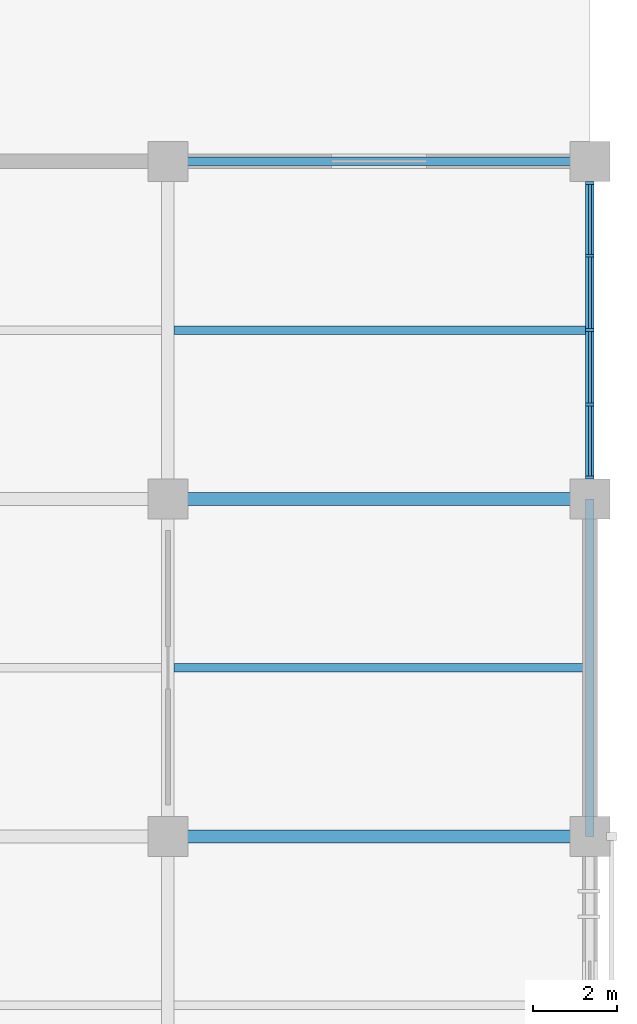
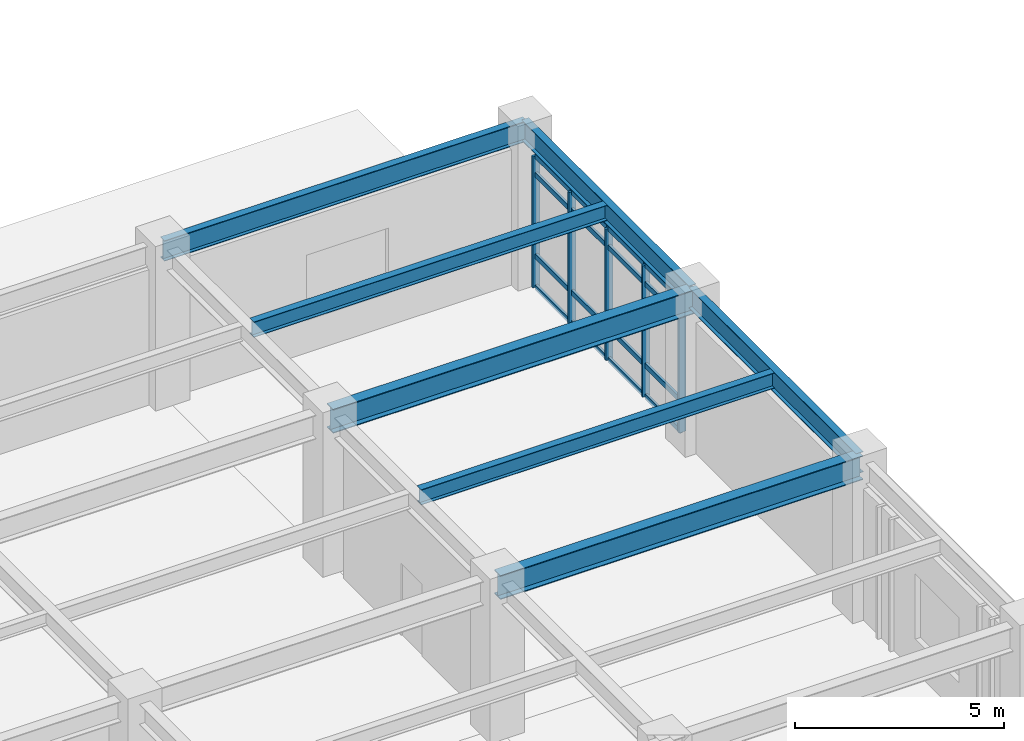
# One storey, part 52 of 109: 21 members, 7 beams, 1 element without a shape of its own.
"""IFC4 building model written with IfcOpenShell, lengths in metres."""

from ifc_helpers import new_model, si_unit, direction, frame, origin, origin_2d, place, context, subcontext, project, spatial, rectangle, i_section, extrude, material, layer, layer_set, material_profile, profile_set, type_object, element, aggregate, save


model = new_model("IFC4")

# Units and contexts
model_context = context("Model", 3, precision=1e-05, world=origin(), true_north=direction((0.0, 1.0)))
body_context = subcontext(model_context, "Body", "Model", "MODEL_VIEW")
ifc_project = project(units=[si_unit("LENGTHUNIT", "METRE"), si_unit("AREAUNIT", "SQUARE_METRE"), si_unit("VOLUMEUNIT", "CUBIC_METRE"), si_unit("PLANEANGLEUNIT", "RADIAN"), si_unit("MASSUNIT", "GRAM", prefix="KILO")], contexts=[model_context])

# Site, building, storey
site_placement = place(None, origin())
site = spatial("IfcSite", under=ifc_project, at=site_placement, CompositionType="ELEMENT")
building_placement = place(site_placement, origin())
building = spatial("IfcBuilding", under=site, at=building_placement, Name="Haebicheon Civic Stadium", CompositionType="ELEMENT")
storey_placement = place(building_placement, frame((0.0, 0.0, 9.60009765625)))
storey = spatial("IfcBuildingStorey", under=building, at=storey_placement, Name="L03", CompositionType="ELEMENT", Elevation=9.60009765625)

# Beams
ifc_material_1 = material(Name="Steel SM490", Category="steel")
ifc_material_profile_1 = material_profile(ifc_material_1, i_section(OverallWidth=0.300048828125, OverallDepth=0.699951171875, WebThickness=0.012939453125, FlangeThickness=0.02392578125, at=origin_2d()), Name="H-700x300x13x24")
ifc_profile_set_1 = profile_set([ifc_material_profile_1], Name="Steel SM490")
beam_type_1 = type_object("IfcBeamType", Name="BM-ST-H700", PredefinedType="BEAM", material=ifc_profile_set_1)
for number, where, z_axis, x_axis, name in (
    (1, (226.0, 128.0, 4.18994140625), (1.0, 0.0, 0.0), (0.0, 1.0, 0.0), "L03 beam S/29-30"),
    (2, (226.0, 136.0, 4.18994140625), (1.0, 0.0, 0.0), (0.0, 1.0, 0.0), "L03 beam T/29-30"),
):
    element("IfcBeam", number, at=place(storey_placement, frame(where, z_axis=z_axis, x_axis=x_axis)), inside=storey, type_object=beam_type_1, material=ifc_profile_set_1, Name=name, PredefinedType="BEAM", context=body_context, shape_type="SweptSolid", body=[
        extrude(i_section(OverallWidth=0.300048828125, OverallDepth=0.699951171875, WebThickness=0.012939453125, FlangeThickness=0.02392578125, at=origin_2d()), origin(), (0.0, 0.0, 1.0), 10.0),
    ])

# Curtain wall, members
ifc_material_2 = material(Name="Anodised aluminium and laminated glass", Category="aluminium")
ifc_layer = layer(ifc_material_2, 0.179931640625, Name="Anodised aluminium and laminated glass")
ifc_layer_set = layer_set([ifc_layer], Name="Anodised aluminium and laminated glass")
curtain_wall_type = type_object("IfcCurtainWallType", Name="CW-7050x3830", PredefinedType="NOTDEFINED", material=ifc_layer_set)
curtain_wall_placement = place(storey_placement, origin())
curtain_wall = element("IfcCurtainWall", 3, at=curtain_wall_placement, inside=storey, type_object=curtain_wall_type, material=ifc_layer_set, Name="L03 unitised curtain wall 104", PredefinedType="NOTDEFINED")
ifc_material_3 = material(Name="Anodised aluminium 6063-T6", Category="aluminium")
ifc_material_profile_2 = material_profile(ifc_material_3, rectangle(XDim=0.070068359375, YDim=0.199951171875, at=origin_2d()), Name="ALU-MULL-70x200")
ifc_profile_set_2 = profile_set([ifc_material_profile_2], Name="Anodised aluminium 6063-T6")
member_type_1 = type_object("IfcMemberType", Name="CWM-200x70", PredefinedType="MULLION", material=ifc_profile_set_2)
member_1_placement = place(storey_placement, frame((236.0, 136.510009765625, 0.0), z_axis=(0.0, 0.0, 1.0), x_axis=(0.0, 1.0, 0.0)))
member_1 = element("IfcMember", 4, at=member_1_placement, type_object=member_type_1, material=ifc_profile_set_2, Name="CW-L03-104 vertical mullion 1", PredefinedType="MULLION", context=body_context, shape_type="SweptSolid", body=[
    extrude(rectangle(XDim=0.070068359375, YDim=0.199951171875, at=origin_2d()), origin(), (0.0, 0.0, 1.0), 3.829833984375),
])
member_2_placement = place(storey_placement, frame((236.0, 138.237060546875, 0.0), z_axis=(0.0, 0.0, 1.0), x_axis=(0.0, 1.0, 0.0)))
member_2 = element("IfcMember", 5, at=member_2_placement, type_object=member_type_1, material=ifc_profile_set_2, Name="CW-L03-104 vertical mullion 2", PredefinedType="MULLION", context=body_context, shape_type="SweptSolid", body=[
    extrude(rectangle(XDim=0.070068359375, YDim=0.199951171875, at=origin_2d()), origin(), (0.0, 0.0, 1.0), 3.829833984375),
])
member_3_placement = place(storey_placement, frame((236.0, 140.0, 0.0), z_axis=(0.0, 0.0, 1.0), x_axis=(0.0, 1.0, 0.0)))
member_3 = element("IfcMember", 6, at=member_3_placement, type_object=member_type_1, material=ifc_profile_set_2, Name="CW-L03-104 vertical mullion 3", PredefinedType="MULLION", context=body_context, shape_type="SweptSolid", body=[
    extrude(rectangle(XDim=0.070068359375, YDim=0.199951171875, at=origin_2d()), origin(), (0.0, 0.0, 1.0), 3.829833984375),
])
member_4_placement = place(storey_placement, frame((236.0, 141.762939453125, 0.0), z_axis=(0.0, 0.0, 1.0), x_axis=(0.0, 1.0, 0.0)))
member_4 = element("IfcMember", 7, at=member_4_placement, type_object=member_type_1, material=ifc_profile_set_2, Name="CW-L03-104 vertical mullion 4", PredefinedType="MULLION", context=body_context, shape_type="SweptSolid", body=[
    extrude(rectangle(XDim=0.070068359375, YDim=0.199951171875, at=origin_2d()), origin(), (0.0, 0.0, 1.0), 3.829833984375),
])
member_5_placement = place(storey_placement, frame((236.0, 143.489990234375, 0.0), z_axis=(0.0, 0.0, 1.0), x_axis=(0.0, 1.0, 0.0)))
member_5 = element("IfcMember", 8, at=member_5_placement, type_object=member_type_1, material=ifc_profile_set_2, Name="CW-L03-104 vertical mullion 5", PredefinedType="MULLION", context=body_context, shape_type="SweptSolid", body=[
    extrude(rectangle(XDim=0.070068359375, YDim=0.199951171875, at=origin_2d()), origin(), (0.0, 0.0, 1.0), 3.829833984375),
])
ifc_material_4 = material(Name="Anodised aluminium 6063-T6", Category="aluminium")
ifc_material_profile_3 = material_profile(ifc_material_4, rectangle(XDim=0.070068359375, YDim=0.14990234375, at=origin_2d()), Name="ALU-TRAN-70x150")
ifc_profile_set_3 = profile_set([ifc_material_profile_3], Name="Anodised aluminium 6063-T6")
member_type_2 = type_object("IfcMemberType", Name="CWT-150x70", PredefinedType="NOTDEFINED", material=ifc_profile_set_3)
member_6_placement = place(storey_placement, frame((236.0, 136.544921875, 0.0), z_axis=(0.0, 1.0, 0.0), x_axis=(-1.0, 0.0, 0.0)))
member_6 = element("IfcMember", 9, at=member_6_placement, type_object=member_type_2, material=ifc_profile_set_3, Name="CW-L03-104 horizontal transom 1.1", ObjectType="TRANSOM", PredefinedType="USERDEFINED", context=body_context, shape_type="SweptSolid", body=[
    extrude(rectangle(XDim=0.070068359375, YDim=0.14990234375, at=origin_2d()), origin(), (0.0, 0.0, 1.0), 1.656982421875),
])
member_7_placement = place(storey_placement, frame((236.0, 136.544921875, 0.89990234375), z_axis=(0.0, 1.0, 0.0), x_axis=(-1.0, 0.0, 0.0)))
member_7 = element("IfcMember", 10, at=member_7_placement, type_object=member_type_2, material=ifc_profile_set_3, Name="CW-L03-104 horizontal transom 1.2", ObjectType="TRANSOM", PredefinedType="USERDEFINED", context=body_context, shape_type="SweptSolid", body=[
    extrude(rectangle(XDim=0.070068359375, YDim=0.14990234375, at=origin_2d()), origin(), (0.0, 0.0, 1.0), 1.656982421875),
])
member_8_placement = place(storey_placement, frame((236.0, 136.544921875, 3.27978515625), z_axis=(0.0, 1.0, 0.0), x_axis=(-1.0, 0.0, 0.0)))
member_8 = element("IfcMember", 11, at=member_8_placement, type_object=member_type_2, material=ifc_profile_set_3, Name="CW-L03-104 horizontal transom 1.3", ObjectType="TRANSOM", PredefinedType="USERDEFINED", context=body_context, shape_type="SweptSolid", body=[
    extrude(rectangle(XDim=0.070068359375, YDim=0.14990234375, at=origin_2d()), origin(), (0.0, 0.0, 1.0), 1.656982421875),
])
member_9_placement = place(storey_placement, frame((236.0, 136.544921875, 3.829833984375), z_axis=(0.0, 1.0, 0.0), x_axis=(-1.0, 0.0, 0.0)))
member_9 = element("IfcMember", 12, at=member_9_placement, type_object=member_type_2, material=ifc_profile_set_3, Name="CW-L03-104 horizontal transom 1.4", ObjectType="TRANSOM", PredefinedType="USERDEFINED", context=body_context, shape_type="SweptSolid", body=[
    extrude(rectangle(XDim=0.070068359375, YDim=0.14990234375, at=origin_2d()), origin(), (0.0, 0.0, 1.0), 1.656982421875),
])
member_10_placement = place(storey_placement, frame((236.0, 138.27197265625, 0.0), z_axis=(0.0, 1.0, 0.0), x_axis=(-1.0, 0.0, 0.0)))
member_10 = element("IfcMember", 13, at=member_10_placement, type_object=member_type_2, material=ifc_profile_set_3, Name="CW-L03-104 horizontal transom 2.1", ObjectType="TRANSOM", PredefinedType="USERDEFINED", context=body_context, shape_type="SweptSolid", body=[
    extrude(rectangle(XDim=0.070068359375, YDim=0.14990234375, at=origin_2d()), origin(), (0.0, 0.0, 1.0), 1.693115234375),
])
member_11_placement = place(storey_placement, frame((236.0, 138.27197265625, 0.89990234375), z_axis=(0.0, 1.0, 0.0), x_axis=(-1.0, 0.0, 0.0)))
member_11 = element("IfcMember", 14, at=member_11_placement, type_object=member_type_2, material=ifc_profile_set_3, Name="CW-L03-104 horizontal transom 2.2", ObjectType="TRANSOM", PredefinedType="USERDEFINED", context=body_context, shape_type="SweptSolid", body=[
    extrude(rectangle(XDim=0.070068359375, YDim=0.14990234375, at=origin_2d()), origin(), (0.0, 0.0, 1.0), 1.693115234375),
])
member_12_placement = place(storey_placement, frame((236.0, 138.27197265625, 3.27978515625), z_axis=(0.0, 1.0, 0.0), x_axis=(-1.0, 0.0, 0.0)))
member_12 = element("IfcMember", 15, at=member_12_placement, type_object=member_type_2, material=ifc_profile_set_3, Name="CW-L03-104 horizontal transom 2.3", ObjectType="TRANSOM", PredefinedType="USERDEFINED", context=body_context, shape_type="SweptSolid", body=[
    extrude(rectangle(XDim=0.070068359375, YDim=0.14990234375, at=origin_2d()), origin(), (0.0, 0.0, 1.0), 1.693115234375),
])
member_13_placement = place(storey_placement, frame((236.0, 138.27197265625, 3.829833984375), z_axis=(0.0, 1.0, 0.0), x_axis=(-1.0, 0.0, 0.0)))
member_13 = element("IfcMember", 16, at=member_13_placement, type_object=member_type_2, material=ifc_profile_set_3, Name="CW-L03-104 horizontal transom 2.4", ObjectType="TRANSOM", PredefinedType="USERDEFINED", context=body_context, shape_type="SweptSolid", body=[
    extrude(rectangle(XDim=0.070068359375, YDim=0.14990234375, at=origin_2d()), origin(), (0.0, 0.0, 1.0), 1.693115234375),
])
member_14_placement = place(storey_placement, frame((236.0, 140.034912109375, 0.0), z_axis=(0.0, 1.0, 0.0), x_axis=(-1.0, 0.0, 0.0)))
member_14 = element("IfcMember", 17, at=member_14_placement, type_object=member_type_2, material=ifc_profile_set_3, Name="CW-L03-104 horizontal transom 3.1", ObjectType="TRANSOM", PredefinedType="USERDEFINED", context=body_context, shape_type="SweptSolid", body=[
    extrude(rectangle(XDim=0.070068359375, YDim=0.14990234375, at=origin_2d()), origin(), (0.0, 0.0, 1.0), 1.693115234375),
])
member_15_placement = place(storey_placement, frame((236.0, 140.034912109375, 0.89990234375), z_axis=(0.0, 1.0, 0.0), x_axis=(-1.0, 0.0, 0.0)))
member_15 = element("IfcMember", 18, at=member_15_placement, type_object=member_type_2, material=ifc_profile_set_3, Name="CW-L03-104 horizontal transom 3.2", ObjectType="TRANSOM", PredefinedType="USERDEFINED", context=body_context, shape_type="SweptSolid", body=[
    extrude(rectangle(XDim=0.070068359375, YDim=0.14990234375, at=origin_2d()), origin(), (0.0, 0.0, 1.0), 1.693115234375),
])
member_16_placement = place(storey_placement, frame((236.0, 140.034912109375, 3.27978515625), z_axis=(0.0, 1.0, 0.0), x_axis=(-1.0, 0.0, 0.0)))
member_16 = element("IfcMember", 19, at=member_16_placement, type_object=member_type_2, material=ifc_profile_set_3, Name="CW-L03-104 horizontal transom 3.3", ObjectType="TRANSOM", PredefinedType="USERDEFINED", context=body_context, shape_type="SweptSolid", body=[
    extrude(rectangle(XDim=0.070068359375, YDim=0.14990234375, at=origin_2d()), origin(), (0.0, 0.0, 1.0), 1.693115234375),
])
member_17_placement = place(storey_placement, frame((236.0, 140.034912109375, 3.829833984375), z_axis=(0.0, 1.0, 0.0), x_axis=(-1.0, 0.0, 0.0)))
member_17 = element("IfcMember", 20, at=member_17_placement, type_object=member_type_2, material=ifc_profile_set_3, Name="CW-L03-104 horizontal transom 3.4", ObjectType="TRANSOM", PredefinedType="USERDEFINED", context=body_context, shape_type="SweptSolid", body=[
    extrude(rectangle(XDim=0.070068359375, YDim=0.14990234375, at=origin_2d()), origin(), (0.0, 0.0, 1.0), 1.693115234375),
])
member_18_placement = place(storey_placement, frame((236.0, 141.798095703125, 0.0), z_axis=(0.0, 1.0, 0.0), x_axis=(-1.0, 0.0, 0.0)))
member_18 = element("IfcMember", 21, at=member_18_placement, type_object=member_type_2, material=ifc_profile_set_3, Name="CW-L03-104 horizontal transom 4.1", ObjectType="TRANSOM", PredefinedType="USERDEFINED", context=body_context, shape_type="SweptSolid", body=[
    extrude(rectangle(XDim=0.070068359375, YDim=0.14990234375, at=origin_2d()), origin(), (0.0, 0.0, 1.0), 1.656982421875),
])
member_19_placement = place(storey_placement, frame((236.0, 141.798095703125, 0.89990234375), z_axis=(0.0, 1.0, 0.0), x_axis=(-1.0, 0.0, 0.0)))
member_19 = element("IfcMember", 22, at=member_19_placement, type_object=member_type_2, material=ifc_profile_set_3, Name="CW-L03-104 horizontal transom 4.2", ObjectType="TRANSOM", PredefinedType="USERDEFINED", context=body_context, shape_type="SweptSolid", body=[
    extrude(rectangle(XDim=0.070068359375, YDim=0.14990234375, at=origin_2d()), origin(), (0.0, 0.0, 1.0), 1.656982421875),
])
member_20_placement = place(storey_placement, frame((236.0, 141.798095703125, 3.27978515625), z_axis=(0.0, 1.0, 0.0), x_axis=(-1.0, 0.0, 0.0)))
member_20 = element("IfcMember", 23, at=member_20_placement, type_object=member_type_2, material=ifc_profile_set_3, Name="CW-L03-104 horizontal transom 4.3", ObjectType="TRANSOM", PredefinedType="USERDEFINED", context=body_context, shape_type="SweptSolid", body=[
    extrude(rectangle(XDim=0.070068359375, YDim=0.14990234375, at=origin_2d()), origin(), (0.0, 0.0, 1.0), 1.656982421875),
])
member_21_placement = place(storey_placement, frame((236.0, 141.798095703125, 3.829833984375), z_axis=(0.0, 1.0, 0.0), x_axis=(-1.0, 0.0, 0.0)))
member_21 = element("IfcMember", 24, at=member_21_placement, type_object=member_type_2, material=ifc_profile_set_3, Name="CW-L03-104 horizontal transom 4.4", ObjectType="TRANSOM", PredefinedType="USERDEFINED", context=body_context, shape_type="SweptSolid", body=[
    extrude(rectangle(XDim=0.070068359375, YDim=0.14990234375, at=origin_2d()), origin(), (0.0, 0.0, 1.0), 1.656982421875),
])
aggregate(curtain_wall, [member_1, member_2, member_3, member_4, member_5, member_6, member_7, member_8, member_9, member_10, member_11, member_12, member_13, member_14, member_15, member_16, member_17, member_18, member_19, member_20, member_21])

# Beams
ifc_material_5 = material(Name="Steel SM355 (S355)", Category="steel")
ifc_material_profile_4 = material_profile(ifc_material_5, i_section(OverallWidth=0.199951171875, OverallDepth=0.449951171875, WebThickness=0.009033203125, FlangeThickness=0.013916015625, at=origin_2d()), Name="H-450x200x9x14")
ifc_profile_set_4 = profile_set([ifc_material_profile_4], Name="Steel SM355 (S355)")
beam_type_2 = type_object("IfcBeamType", Name="JST-ST-H450", PredefinedType="JOIST", material=ifc_profile_set_4)
for number, where, z_axis, x_axis, name in (
    (25, (226.14990234375, 132.0, 4.31494140625), (1.0, 0.0, 0.0), (0.0, 1.0, 0.0), "L03 secondary joist 28-16"),
    (26, (226.14990234375, 140.0, 4.35498046875), (1.0, 0.0, 0.0), (0.0, 1.0, 0.0), "L03 secondary joist 28-17"),
):
    element("IfcBeam", number, at=place(storey_placement, frame(where, z_axis=z_axis, x_axis=x_axis)), inside=storey, type_object=beam_type_2, material=ifc_profile_set_4, Name=name, PredefinedType="JOIST", context=body_context, shape_type="SweptSolid", body=[
        extrude(i_section(OverallWidth=0.199951171875, OverallDepth=0.449951171875, WebThickness=0.009033203125, FlangeThickness=0.013916015625, at=origin_2d()), origin(), (0.0, 0.0, 1.0), 9.75),
    ])
ifc_material_6 = material(Name="Steel SM355 (S355)", Category="steel")
ifc_material_profile_5 = material_profile(ifc_material_6, i_section(OverallWidth=0.199951171875, OverallDepth=0.60009765625, WebThickness=0.010986328125, FlangeThickness=0.01708984375, at=origin_2d()), Name="H-600x200x11x17")
ifc_profile_set_5 = profile_set([ifc_material_profile_5], Name="Steel SM355 (S355)")
beam_type_3 = type_object("IfcBeamType", Name="SPD-ST-H600B", PredefinedType="SPANDREL", material=ifc_profile_set_5)
for number, where, z_axis, x_axis, name in (
    (27, (236.0, 128.0, 4.239990234375), (0.0, 1.0, 0.0), (-1.0, 0.0, 0.0), "L03 girder 30/S-T"),
    (28, (236.0, 136.0, 4.27978515625), (0.0, 1.0, 0.0), (-1.0, 0.0, 0.0), "L03 girder 30/T-U"),
):
    element("IfcBeam", number, at=place(storey_placement, frame(where, z_axis=z_axis, x_axis=x_axis)), inside=storey, type_object=beam_type_3, material=ifc_profile_set_5, Name=name, PredefinedType="SPANDREL", context=body_context, shape_type="SweptSolid", body=[
        extrude(i_section(OverallWidth=0.199951171875, OverallDepth=0.60009765625, WebThickness=0.010986328125, FlangeThickness=0.01708984375, at=origin_2d()), origin(), (0.0, 0.0, 1.0), 8.0),
    ])
beam_placement = place(storey_placement, frame((226.0, 144.0, 4.27978515625), z_axis=(1.0, 0.0, 0.0), x_axis=(0.0, 1.0, 0.0)))
element("IfcBeam", 29, at=beam_placement, inside=storey, type_object=beam_type_3, material=ifc_profile_set_5, Name="L03 beam U/29-30", PredefinedType="SPANDREL", context=body_context, shape_type="SweptSolid", body=[
    extrude(i_section(OverallWidth=0.199951171875, OverallDepth=0.60009765625, WebThickness=0.010986328125, FlangeThickness=0.01708984375, at=origin_2d()), origin(), (0.0, 0.0, 1.0), 10.0),
])

save(model, "model.ifc")
